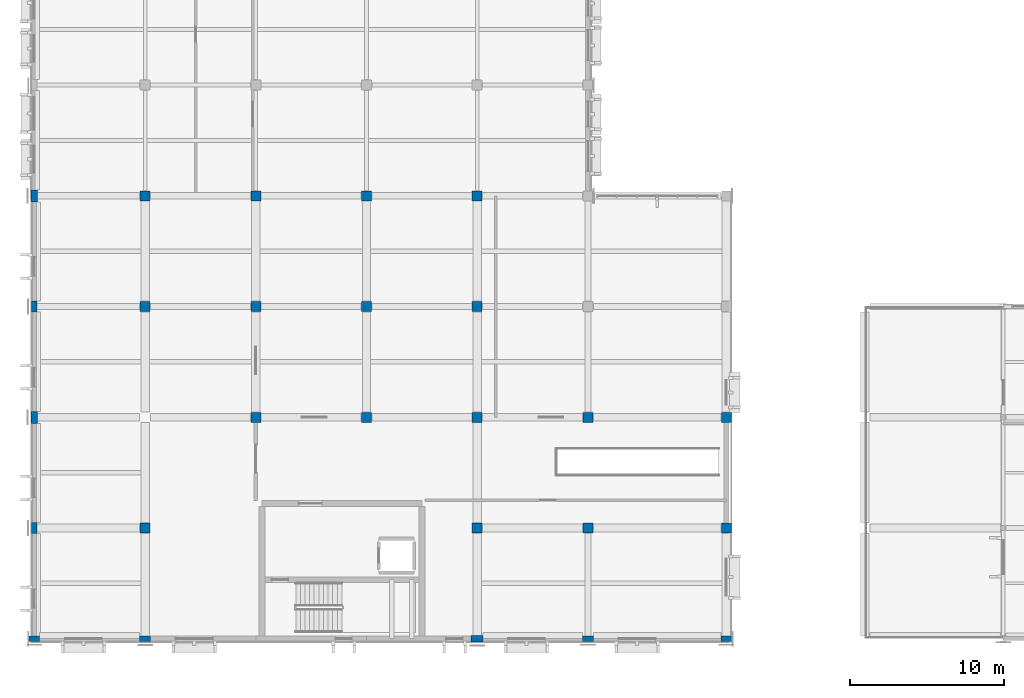
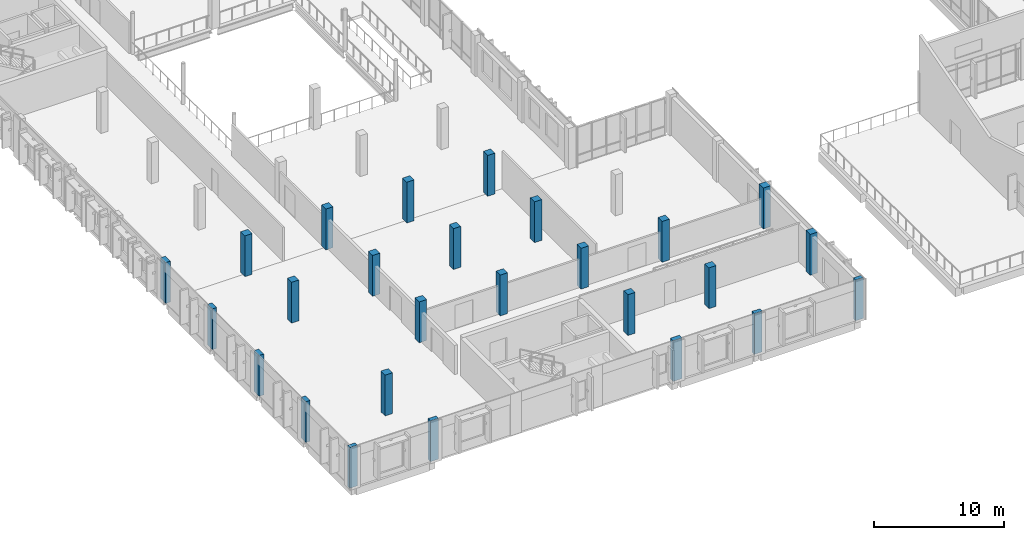
# One storey, part 1 of 85: 26 columns.
"""IFC4 building model written with IfcOpenShell, lengths in metres."""

from ifc_helpers import new_model, si_unit, direction, frame, origin, origin_2d, place, context, subcontext, project, spatial, rectangle, extrude, material, material_profile, profile_set, type_object, element, save


model = new_model("IFC4")

# Units and contexts
model_context = context("Model", 3, precision=1e-05, world=origin(), true_north=direction((0.0, 1.0)))
body_context = subcontext(model_context, "Body", "Model", "MODEL_VIEW")
ifc_project = project(units=[si_unit("LENGTHUNIT", "METRE"), si_unit("AREAUNIT", "SQUARE_METRE"), si_unit("VOLUMEUNIT", "CUBIC_METRE"), si_unit("PLANEANGLEUNIT", "RADIAN"), si_unit("MASSUNIT", "GRAM", prefix="KILO")], contexts=[model_context])

# Site, building, storey
site_placement = place(None, origin())
site = spatial("IfcSite", under=ifc_project, at=site_placement, CompositionType="ELEMENT")
building_placement = place(site_placement, origin())
building = spatial("IfcBuilding", under=site, at=building_placement, Name="Vervanel Yard Central Library", CompositionType="ELEMENT")
storey_placement = place(building_placement, frame((0.0, 0.0, 5.10009765625)))
storey = spatial("IfcBuildingStorey", under=building, at=storey_placement, Name="L01", CompositionType="ELEMENT", Elevation=5.10009765625)

# Columns
ifc_material = material(Name="Concrete C40/50", Category="concrete")
ifc_material_profile_1 = material_profile(ifc_material, rectangle(XDim=0.64990234375, YDim=0.64990234375, at=origin_2d()), Name="RC 650x650", Category="concrete")
ifc_profile_set_1 = profile_set([ifc_material_profile_1], Name="Concrete C40/50")
column_type_1 = type_object("IfcColumnType", Name="Concrete Column 650x650", PredefinedType="COLUMN", material=ifc_profile_set_1)
for number, where, z_axis, x_axis, name in (
    (1, (7.199951171875, 7.199951171875, 0.0), (0.0, 0.0, 1.0), (1.0, 0.0, 0.0), "L01 Concrete Column 650x650 (7.2, 7.2)"),
    (2, (7.199951171875, 21.60009765625, 0.0), (0.0, 0.0, 1.0), (1.0, 0.0, 0.0), "L01 Concrete Column 650x650 (7.2, 21.6)"),
    (3, (7.199951171875, 28.800048828125, 0.0), (0.0, 0.0, 1.0), (1.0, 0.0, 0.0), "L01 Concrete Column 650x650 (7.2, 28.8)"),
    (4, (14.39990234375, 14.39990234375, 0.0), (0.0, 0.0, 1.0), (1.0, 0.0, 0.0), "L01 Concrete Column 650x650 (14.4, 14.4)"),
    (5, (14.39990234375, 21.60009765625, 0.0), (0.0, 0.0, 1.0), (1.0, 0.0, 0.0), "L01 Concrete Column 650x650 (14.4, 21.6)"),
    (6, (14.39990234375, 28.800048828125, 0.0), (0.0, 0.0, 1.0), (1.0, 0.0, 0.0), "L01 Concrete Column 650x650 (14.4, 28.8)"),
    (7, (21.60009765625, 14.39990234375, 0.0), (0.0, 0.0, 1.0), (1.0, 0.0, 0.0), "L01 Concrete Column 650x650 (21.6, 14.4)"),
    (8, (21.60009765625, 21.60009765625, 0.0), (0.0, 0.0, 1.0), (1.0, 0.0, 0.0), "L01 Concrete Column 650x650 (21.6, 21.6)"),
    (9, (21.60009765625, 28.800048828125, 0.0), (0.0, 0.0, 1.0), (1.0, 0.0, 0.0), "L01 Concrete Column 650x650 (21.6, 28.8)"),
    (10, (28.800048828125, 7.199951171875, 0.0), (0.0, 0.0, 1.0), (1.0, 0.0, 0.0), "L01 Concrete Column 650x650 (28.8, 7.2)"),
    (11, (28.800048828125, 14.39990234375, 0.0), (0.0, 0.0, 1.0), (1.0, 0.0, 0.0), "L01 Concrete Column 650x650 (28.8, 14.4)"),
    (12, (28.800048828125, 21.60009765625, 0.0), (0.0, 0.0, 1.0), (1.0, 0.0, 0.0), "L01 Concrete Column 650x650 (28.8, 21.6)"),
    (13, (28.800048828125, 28.800048828125, 0.0), (0.0, 0.0, 1.0), (1.0, 0.0, 0.0), "L01 Concrete Column 650x650 (28.8, 28.8)"),
    (14, (36.0, 7.199951171875, 0.0), (0.0, 0.0, 1.0), (1.0, 0.0, 0.0), "L01 Concrete Column 650x650 (36.0, 7.2)"),
    (15, (36.0, 14.39990234375, 0.0), (0.0, 0.0, 1.0), (1.0, 0.0, 0.0), "L01 Concrete Column 650x650 (36.0, 14.4)"),
    (16, (45.0, 7.199951171875, 0.0), (0.0, 0.0, 1.0), (1.0, 0.0, 0.0), "L01 Concrete Column 650x650 (45.0, 7.2)"),
    (17, (45.0, 14.39990234375, 0.0), (0.0, 0.0, 1.0), (1.0, 0.0, 0.0), "L01 Concrete Column 650x650 (45.0, 14.4)"),
):
    element("IfcColumn", number, at=place(storey_placement, frame(where, z_axis=z_axis, x_axis=x_axis)), inside=storey, type_object=column_type_1, Name=name, PredefinedType="COLUMN", context=body_context, shape_type="SweptSolid", body=[
        extrude(rectangle(XDim=0.64990234375, YDim=0.64990234375, at=origin_2d()), origin(), (0.0, 0.0, 1.0), 3.83984375),
    ])
ifc_material_profile_2 = material_profile(ifc_material, rectangle(XDim=0.35009765625, YDim=0.699951171875, at=origin_2d()), Name="RC 350x700", Category="concrete")
ifc_profile_set_2 = profile_set([ifc_material_profile_2], Name="Concrete C40/50")
column_type_2 = type_object("IfcColumnType", Name="Perimeter Pilaster 350x700", PredefinedType="PILASTER", material=ifc_profile_set_2)
for number, where, z_axis, x_axis, name in (
    (18, (0.0, 0.0, 0.0), (0.0, 0.0, 1.0), (0.0, 1.0, 0.0), "L01 Perimeter Pilaster 350x700 (0.0, 0.0)"),
    (19, (36.0, 0.0, 0.0), (0.0, 0.0, 1.0), (0.0, 1.0, 0.0), "L01 Perimeter Pilaster 350x700 (36.0, 0.0)"),
    (20, (45.0, 0.0, 0.0), (0.0, 0.0, 1.0), (0.0, 1.0, 0.0), "L01 Perimeter Pilaster 350x700 (45.0, 0.0)"),
):
    element("IfcColumn", number, at=place(storey_placement, frame(where, z_axis=z_axis, x_axis=x_axis)), inside=storey, type_object=column_type_2, Name=name, PredefinedType="PILASTER", context=body_context, shape_type="SweptSolid", body=[
        extrude(rectangle(XDim=0.35009765625, YDim=0.699951171875, at=origin_2d()), origin(), (0.0, 0.0, 1.0), 3.83984375),
    ])
ifc_material_profile_3 = material_profile(ifc_material, rectangle(XDim=0.3798828125, YDim=0.719970703125, at=origin_2d()), Name="RC 380x720", Category="concrete")
ifc_profile_set_3 = profile_set([ifc_material_profile_3], Name="Concrete C40/50")
column_type_3 = type_object("IfcColumnType", Name="Perimeter Pilaster 380x720", PredefinedType="PILASTER", material=ifc_profile_set_3)
for number, where, z_axis, x_axis, name in (
    (21, (0.0, 7.199951171875, 0.0), (0.0, 0.0, 1.0), (1.0, 0.0, 0.0), "L01 Perimeter Pilaster 380x720 (0.0, 7.2)"),
    (22, (0.0, 21.60009765625, 0.0), (0.0, 0.0, 1.0), (1.0, 0.0, 0.0), "L01 Perimeter Pilaster 380x720 (0.0, 21.6)"),
    (23, (7.199951171875, 0.0, 0.0), (0.0, 0.0, 1.0), (0.0, 1.0, 0.0), "L01 Perimeter Pilaster 380x720 (7.2, 0.0)"),
):
    element("IfcColumn", number, at=place(storey_placement, frame(where, z_axis=z_axis, x_axis=x_axis)), inside=storey, type_object=column_type_3, Name=name, PredefinedType="PILASTER", context=body_context, shape_type="SweptSolid", body=[
        extrude(rectangle(XDim=0.3798828125, YDim=0.719970703125, at=origin_2d()), origin(), (0.0, 0.0, 1.0), 3.83984375),
    ])
ifc_material_profile_4 = material_profile(ifc_material, rectangle(XDim=0.419921875, YDim=0.780029296875, at=origin_2d()), Name="RC 420x780", Category="concrete")
ifc_profile_set_4 = profile_set([ifc_material_profile_4], Name="Concrete C40/50")
column_type_4 = type_object("IfcColumnType", Name="Perimeter Pilaster 420x780", PredefinedType="PILASTER", material=ifc_profile_set_4)
for number, where, z_axis, x_axis, name in (
    (24, (0.0, 14.39990234375, 0.0), (0.0, 0.0, 1.0), (1.0, 0.0, 0.0), "L01 Perimeter Pilaster 420x780 (0.0, 14.4)"),
    (25, (0.0, 28.800048828125, 0.0), (0.0, 0.0, 1.0), (1.0, 0.0, 0.0), "L01 Perimeter Pilaster 420x780 (0.0, 28.8)"),
    (26, (28.800048828125, 0.0, 0.0), (0.0, 0.0, 1.0), (0.0, 1.0, 0.0), "L01 Perimeter Pilaster 420x780 (28.8, 0.0)"),
):
    element("IfcColumn", number, at=place(storey_placement, frame(where, z_axis=z_axis, x_axis=x_axis)), inside=storey, type_object=column_type_4, Name=name, PredefinedType="PILASTER", context=body_context, shape_type="SweptSolid", body=[
        extrude(rectangle(XDim=0.419921875, YDim=0.780029296875, at=origin_2d()), origin(), (0.0, 0.0, 1.0), 3.83984375),
    ])

save(model, "model.ifc")
